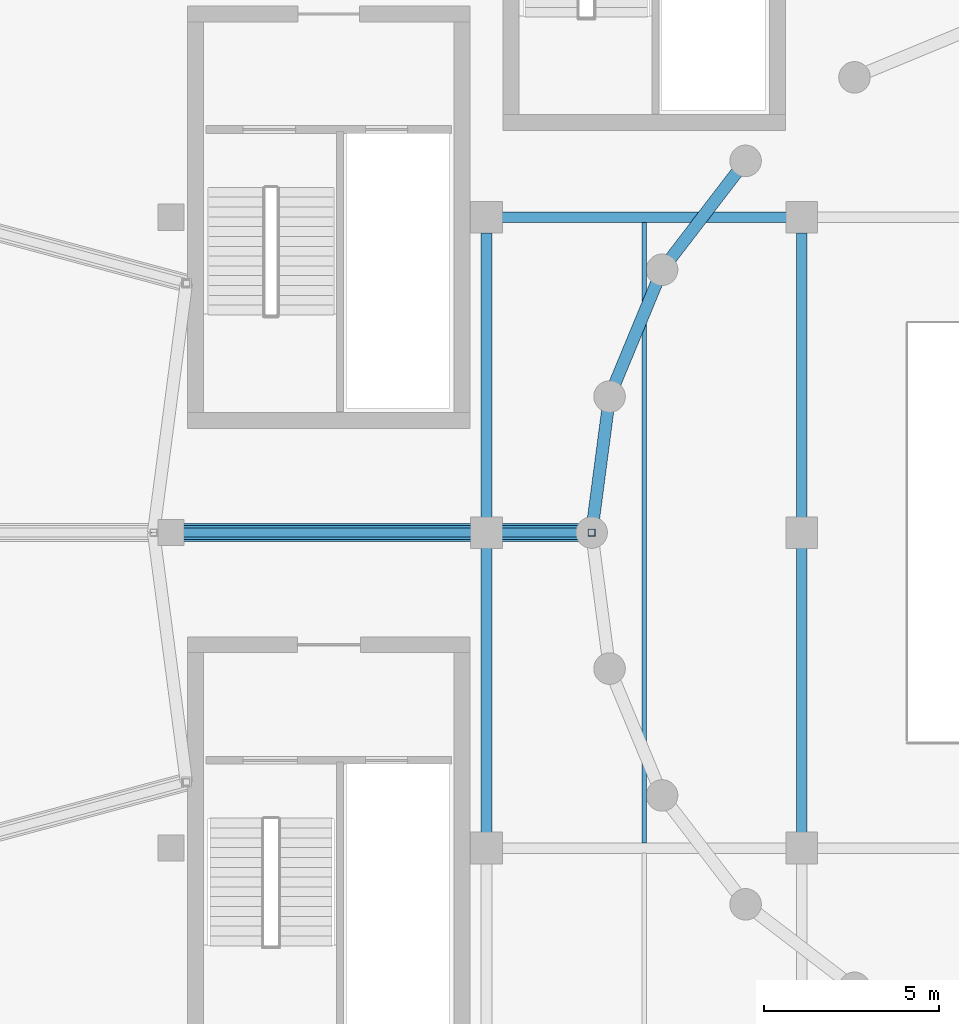
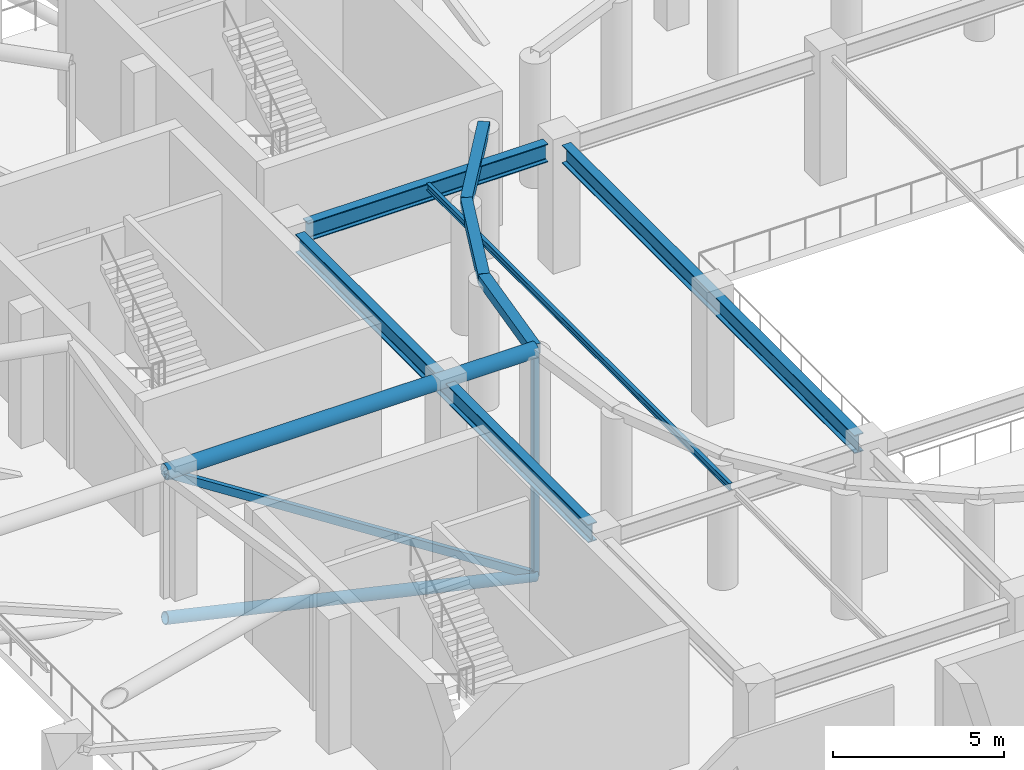
# One storey, part 66 of 167: 7 members, 4 beams.
"""IFC4 building model written with IfcOpenShell, lengths in metres."""

from ifc_helpers import new_model, si_unit, direction, frame, origin, origin_2d, place, context, subcontext, project, spatial, hollow_rectangle, hollow_circle, i_section, extrude, material, material_profile, profile_set, type_object, element, save


model = new_model("IFC4")

# Units and contexts
model_context = context("Model", 3, precision=1e-05, world=origin(), true_north=direction((0.0, 1.0)))
body_context = subcontext(model_context, "Body", "Model", "MODEL_VIEW")
ifc_project = project(units=[si_unit("LENGTHUNIT", "METRE"), si_unit("AREAUNIT", "SQUARE_METRE"), si_unit("VOLUMEUNIT", "CUBIC_METRE"), si_unit("PLANEANGLEUNIT", "RADIAN"), si_unit("MASSUNIT", "GRAM", prefix="KILO")], contexts=[model_context])

# Site, building, storey
site_placement = place(None, origin())
site = spatial("IfcSite", under=ifc_project, at=site_placement, CompositionType="ELEMENT")
building_placement = place(site_placement, origin())
building = spatial("IfcBuilding", under=site, at=building_placement, Name="Dornveld Trade and Exhibition Forum", CompositionType="ELEMENT")
storey_placement = place(building_placement, frame((0.0, 0.0, 16.800048828125)))
storey = spatial("IfcBuildingStorey", under=building, at=storey_placement, Name="L03", CompositionType="ELEMENT", Elevation=16.800048828125)

# Beams
ifc_material_1 = material(Name="Steel S355J2", Category="steel")
ifc_material_profile_1 = material_profile(ifc_material_1, i_section(OverallWidth=0.300048828125, OverallDepth=0.64990234375, WebThickness=0.01611328125, FlangeThickness=0.031005859375, FilletRadius=0.027099609375, at=origin_2d()), Name="HEB 650")
ifc_profile_set_1 = profile_set([ifc_material_profile_1], Name="Steel S355J2")
beam_type_1 = type_object("IfcBeamType", Name="BM-GIR-HEB650", PredefinedType="USERDEFINED", material=ifc_profile_set_1)
beam_1_placement = place(storey_placement, frame((99.446044921875, 90.0, 4.15283203125), z_axis=(1.0, 0.0, 0.0), x_axis=(0.0, 1.0, 0.0)))
element("IfcBeam", 1, at=beam_1_placement, inside=storey, type_object=beam_type_1, Name="L03 X-girder 1657", ObjectType="GIRDER", PredefinedType="USERDEFINED", context=body_context, shape_type="SweptSolid", body=[
    extrude(i_section(OverallWidth=0.300048828125, OverallDepth=0.64990234375, WebThickness=0.01611328125, FlangeThickness=0.031005859375, FilletRadius=0.027099609375, at=origin_2d()), origin(), (0.0, 0.0, 1.0), 8.10791015625),
])
for number, where, z_axis, x_axis, name in (
    (2, (99.0, 72.446044921875, 4.15283203125), (0.0, 1.0, 0.0), (-1.0, 0.0, 0.0), "L03 Y-girder 1661"),
    (3, (108.0, 72.446044921875, 4.18505859375), (0.0, 1.0, 0.0), (-1.0, 0.0, 0.0), "L03 Y-girder 1663"),
):
    element("IfcBeam", number, at=place(storey_placement, frame(where, z_axis=z_axis, x_axis=x_axis)), inside=storey, type_object=beam_type_1, Name=name, ObjectType="GIRDER", PredefinedType="USERDEFINED", context=body_context, shape_type="SweptSolid", body=[
        extrude(i_section(OverallWidth=0.300048828125, OverallDepth=0.64990234375, WebThickness=0.01611328125, FlangeThickness=0.031005859375, FilletRadius=0.027099609375, at=origin_2d()), origin(), (0.0, 0.0, 1.0), 17.10791015625),
    ])
ifc_material_2 = material(Name="Steel S355J2", Category="steel")
ifc_material_profile_2 = material_profile(ifc_material_2, i_section(OverallWidth=0.1201171875, OverallDepth=0.239990234375, WebThickness=0.006103515625, FlangeThickness=0.009765625, FilletRadius=0.014892578125, at=origin_2d()), Name="IPE 240")
ifc_profile_set_2 = profile_set([ifc_material_profile_2], Name="Steel S355J2")
beam_type_2 = type_object("IfcBeamType", Name="BM-JOIST-240", PredefinedType="JOIST", material=ifc_profile_set_2)
beam_2_placement = place(storey_placement, frame((103.5, 72.14697265625, 4.389892578125), z_axis=(0.0, 1.0, 0.0), x_axis=(-1.0, 0.0, 0.0)))
element("IfcBeam", 4, at=beam_2_placement, inside=storey, type_object=beam_type_2, Name="L03 secondary joist 1669", PredefinedType="JOIST", context=body_context, shape_type="SweptSolid", body=[
    extrude(i_section(OverallWidth=0.1201171875, OverallDepth=0.239990234375, WebThickness=0.006103515625, FlangeThickness=0.009765625, FilletRadius=0.014892578125, at=origin_2d()), origin(), (0.0, 0.0, 1.0), 17.7060546875),
])

# Members
ifc_material_3 = material(Name="Steel S355J2", Category="steel")
ifc_material_profile_3 = material_profile(ifc_material_3, hollow_circle(Radius=0.203125, WallThickness=0.02001953125, at=origin_2d()), Name="CHS 406.4x20")
ifc_profile_set_3 = profile_set([ifc_material_profile_3], Name="Steel S355J2")
member_type_1 = type_object("IfcMemberType", Name="MEM-DISC-BC", PredefinedType="CHORD", material=ifc_profile_set_3)
member_1_placement = place(storey_placement, frame((102.0, 81.0, -3.60009765625), z_axis=(-0.975183720687, 0.0, 0.221397179087), x_axis=(0.0, -1.0, 0.0)))
element("IfcMember", 5, at=member_1_placement, inside=storey, type_object=member_type_1, Name="Roof disc radial R13 conical bottom chord 1", PredefinedType="CHORD", context=body_context, shape_type="SweptSolid", body=[
    extrude(hollow_circle(Radius=0.203125, WallThickness=0.02001953125, at=origin_2d()), origin(), (0.0, 0.0, 1.0), 12.818115234375),
])
ifc_material_4 = material(Name="Steel S355J2", Category="steel")
ifc_material_profile_4 = material_profile(ifc_material_4, hollow_rectangle(XDim=0.35009765625, YDim=0.35009765625, WallThickness=0.01611328125, at=origin_2d()), Name="SHS 350x350x16")
ifc_profile_set_4 = profile_set([ifc_material_profile_4], Name="Steel S355J2")
member_type_2 = type_object("IfcMemberType", Name="MEM-DISC-RING", PredefinedType="CHORD", material=ifc_profile_set_4)
for number, where, z_axis, x_axis, name in (
    (6, (106.393310546875, 91.606689453125, 4.449951171875), (-0.608752171023, -0.793360444108, 0.0), (0.793360444108, -0.608752171023, 0.0), "Roof disc ring 1 chord 10"),
    (7, (104.009521484375, 88.5, 4.449951171875), (-0.382693194178, -0.923875488976, 0.0), (0.923875488976, -0.382693194178, 0.0), "Roof disc ring 1 chord 11"),
    (8, (102.510986328125, 84.88232421875, 4.449951171875), (-0.130493219672, -0.991449201734, 0.0), (0.991449201734, -0.130493219672, 0.0), "Roof disc ring 1 chord 12"),
):
    element("IfcMember", number, at=place(storey_placement, frame(where, z_axis=z_axis, x_axis=x_axis)), inside=storey, type_object=member_type_2, Name=name, PredefinedType="CHORD", context=body_context, shape_type="SweptSolid", body=[
        extrude(hollow_rectangle(XDim=0.35009765625, YDim=0.35009765625, WallThickness=0.01611328125, at=origin_2d()), origin(), (0.0, 0.0, 1.0), 3.915771484375),
    ])
ifc_material_5 = material(Name="Steel S355J2", Category="steel")
ifc_material_profile_5 = material_profile(ifc_material_5, hollow_rectangle(XDim=0.199951171875, YDim=0.199951171875, WallThickness=0.010009765625, at=origin_2d()), Name="SHS 200x200x10")
ifc_profile_set_5 = profile_set([ifc_material_profile_5], Name="Steel S355J2")
member_type_3 = type_object("IfcMemberType", Name="MEM-DISC-STR", PredefinedType="STRUT", material=ifc_profile_set_5)
member_2_placement = place(storey_placement, frame((102.0, 81.0, -3.60009765625), z_axis=(0.0, 0.0, 1.0), x_axis=(1.0, 0.0, 0.0)))
element("IfcMember", 9, at=member_2_placement, inside=storey, type_object=member_type_3, Name="Roof disc radial R13 strut 1", PredefinedType="STRUT", context=body_context, shape_type="SweptSolid", body=[
    extrude(hollow_rectangle(XDim=0.199951171875, YDim=0.199951171875, WallThickness=0.010009765625, at=origin_2d()), origin(), (0.0, 0.0, 1.0), 8.050048828125),
])
ifc_material_6 = material(Name="Steel S355J2", Category="steel")
ifc_material_profile_6 = material_profile(ifc_material_6, hollow_circle(Radius=0.25390625, WallThickness=0.02490234375, at=origin_2d()), Name="CHS 508x25")
ifc_profile_set_6 = profile_set([ifc_material_profile_6], Name="Steel S355J2")
member_type_4 = type_object("IfcMemberType", Name="MEM-DISC-TC", PredefinedType="CHORD", material=ifc_profile_set_6)
member_3_placement = place(storey_placement, frame((102.0, 81.0, 4.449951171875), z_axis=(-1.0, 0.0, 0.0), x_axis=(0.0, -1.0, 0.0)))
element("IfcMember", 10, at=member_3_placement, inside=storey, type_object=member_type_4, Name="Roof disc radial R13 top chord 1", PredefinedType="CHORD", context=body_context, shape_type="SweptSolid", body=[
    extrude(hollow_circle(Radius=0.25390625, WallThickness=0.02490234375, at=origin_2d()), origin(), (0.0, 0.0, 1.0), 12.5),
])
ifc_material_7 = material(Name="Steel S355J2", Category="steel")
ifc_material_profile_7 = material_profile(ifc_material_7, hollow_rectangle(XDim=0.25, YDim=0.25, WallThickness=0.012451171875, at=origin_2d()), Name="SHS 250x250x12.5")
ifc_profile_set_7 = profile_set([ifc_material_profile_7], Name="Steel S355J2")
member_type_5 = type_object("IfcMemberType", Name="MEM-DISC-WEB", PredefinedType="BRACE", material=ifc_profile_set_7)
member_4_placement = place(storey_placement, frame((102.0, 81.0, -3.60009765625), z_axis=(-0.840739641667, 0.0, 0.541439613373), x_axis=(0.0, -1.0, 0.0)))
element("IfcMember", 11, at=member_4_placement, inside=storey, type_object=member_type_5, Name="Roof disc radial R13 web 1", PredefinedType="BRACE", context=body_context, shape_type="SweptSolid", body=[
    extrude(hollow_rectangle(XDim=0.25, YDim=0.25, WallThickness=0.012451171875, at=origin_2d()), origin(), (0.0, 0.0, 1.0), 14.867919921875),
])

save(model, "model.ifc")
